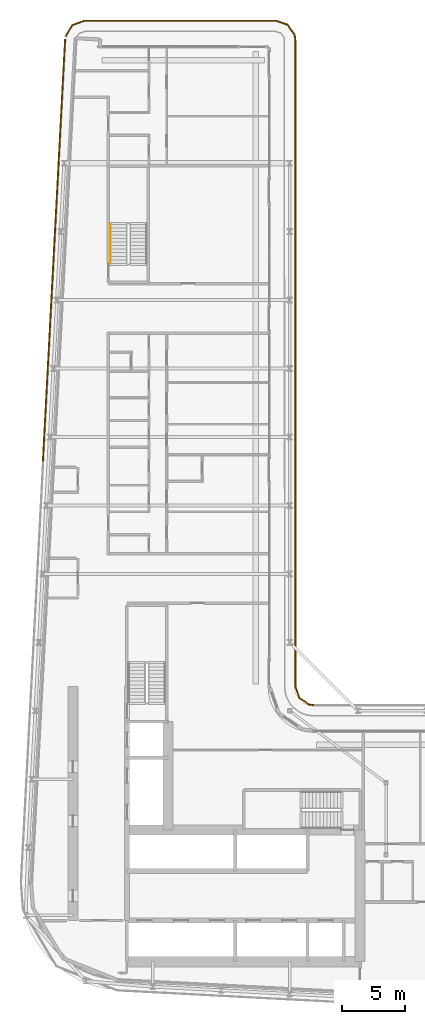
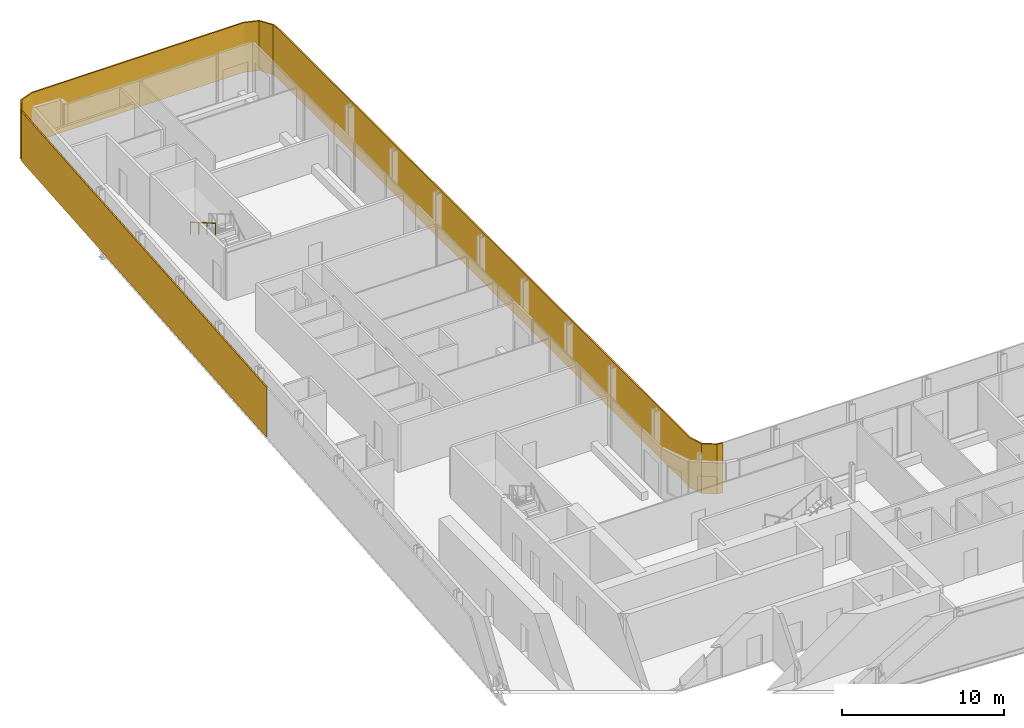
# One storey, part 28 of 30: 2 shading devices, 1 railing.
"""IFC4 building model written with IfcOpenShell, lengths in metres."""

from ifc_helpers import new_model, si_unit, direction, frame, origin, origin_2d, place, context, subcontext, project, spatial, polyline, rectangle, circle, outline, extrude, material, layer, layer_set, type_object, element, save


model = new_model("IFC4")

# Units and contexts
model_context = context("Model", 3, precision=1e-05, world=origin(), true_north=direction((0.0, 1.0)))
body_context = subcontext(model_context, "Body", "Model", "MODEL_VIEW")
ifc_project = project(units=[si_unit("LENGTHUNIT", "METRE"), si_unit("AREAUNIT", "SQUARE_METRE"), si_unit("VOLUMEUNIT", "CUBIC_METRE"), si_unit("PLANEANGLEUNIT", "RADIAN"), si_unit("MASSUNIT", "GRAM", prefix="KILO")], contexts=[model_context])

# Site, building, storey
site_placement = place(None, origin())
site = spatial("IfcSite", under=ifc_project, at=site_placement, CompositionType="ELEMENT")
building_placement = place(site_placement, origin())
building = spatial("IfcBuilding", under=site, at=building_placement, Name="Kheshtan School and Residences Tower", CompositionType="ELEMENT")
storey_placement = place(building_placement, frame((0.0, 0.0, 164.300048828125)))
storey = spatial("IfcBuildingStorey", under=building, at=storey_placement, Name="L38", CompositionType="ELEMENT", Elevation=164.300048828125)

# Shading devices
ifc_material_1 = material(Name="Terracotta baguette, extruded ceramic", Category="masonry")
ifc_layer_1 = layer(ifc_material_1, 0.10009765625)
ifc_layer_set_1 = layer_set([ifc_layer_1], Name="Ledge screen, terracotta baguettes")
shading_device_type_1 = type_object("IfcShadingDeviceType", Name="Ledge screen, terracotta baguettes", PredefinedType="USERDEFINED", material=ifc_layer_set_1)
shading_device_1_placement = place(storey_placement, frame((28.9990234375, 81.93408203125, 0.0), z_axis=(0.0, 0.0, 1.0), x_axis=(0.052562536748, 0.998617634398, 0.0)))
element("IfcShadingDevice", 1, at=shading_device_1_placement, inside=storey, type_object=shading_device_type_1, Name="Screen L38 5", ObjectType="BAGUETTE", PredefinedType="USERDEFINED", context=body_context, shape_type="SweptSolid", body=[
    extrude(rectangle(XDim=33.341064453125, YDim=0.10009765625, at=origin_2d()), origin(), (0.0, 0.0, 1.0), 3.75),
])
ifc_material_2 = material(Name="Terracotta lattice, extruded ceramic", Category="masonry")
ifc_layer_2 = layer(ifc_material_2, 0.10009765625)
ifc_layer_set_2 = layer_set([ifc_layer_2], Name="Loggia screen, terracotta lattice")
shading_device_type_2 = type_object("IfcShadingDeviceType", Name="Loggia screen, terracotta lattice", PredefinedType="USERDEFINED", material=ifc_layer_set_2)
shading_device_2_placement = place(storey_placement, origin())
element("IfcShadingDevice", 2, at=shading_device_2_placement, inside=storey, type_object=shading_device_type_2, Name="Screen L38 1", ObjectType="SCREEN", PredefinedType="USERDEFINED", context=body_context, shape_type="SweptSolid", body=[
    extrude(outline(polyline([(29.949951171875, 98.783935546875), (30.468017578125, 99.656982421875), (31.423095703125, 100.0), (46.5, 100.0), (47.4130859375, 99.68994140625), (47.948974609375, 98.887939453125), (48.0, 98.5), (48.0, 47.5), (48.31005859375, 46.5869140625), (49.112060546875, 46.051025390625), (49.5, 46.0), (49.512939453125, 46.09912109375), (49.14794921875, 46.14697265625), (48.39404296875, 46.65087890625), (48.10009765625, 47.51708984375), (48.10009765625, 98.507080078125), (48.044921875, 98.924072265625), (47.47705078125, 99.77392578125), (46.51708984375, 100.10009765625), (31.406005859375, 100.10009765625), (30.39990234375, 99.739013671875), (29.864013671875, 98.8349609375), (29.949951171875, 98.783935546875)])), origin(), (0.0, 0.0, 1.0), 3.75),
])

# Railing
ifc_material_3 = material(Name="Stainless steel handrail", Category="steel")
railing_type = type_object("IfcRailingType", Name="Stair handrail 900", PredefinedType="HANDRAIL", material=ifc_material_3)
railing_placement = place(storey_placement, frame((33.449951171875, 83.97998046875, 2.112548828125)))
element("IfcRailing", 3, at=railing_placement, inside=storey, type_object=railing_type, Name="L38 ST3 stair handrail 2", PredefinedType="HANDRAIL", context=body_context, shape_type="SweptSolid", body=[
    extrude(circle(Radius=0.02392578125, at=origin_2d()), frame((0.0, 0.0, 0.8759765625), z_axis=(0.0, -0.864920483161, 0.501908913857), x_axis=(1.0, 0.0, 0.0)), (0.0, 0.0, 1.0), 3.56103515625),
    extrude(circle(Radius=0.02099609375, at=origin_2d()), origin(), (0.0, 0.0, 1.0), 0.851806640625),
    extrude(circle(Radius=0.02099609375, at=origin_2d()), frame((0.0, -1.026611328125, 0.595703125)), (0.0, 0.0, 1.0), 0.851806640625),
    extrude(circle(Radius=0.02099609375, at=origin_2d()), frame((0.0, -2.053466796875, 1.191650390625)), (0.0, 0.0, 1.0), 0.851806640625),
    extrude(circle(Radius=0.02099609375, at=origin_2d()), frame((0.0, -3.080078125, 1.787353515625)), (0.0, 0.0, 1.0), 0.851806640625),
])

save(model, "model.ifc")
